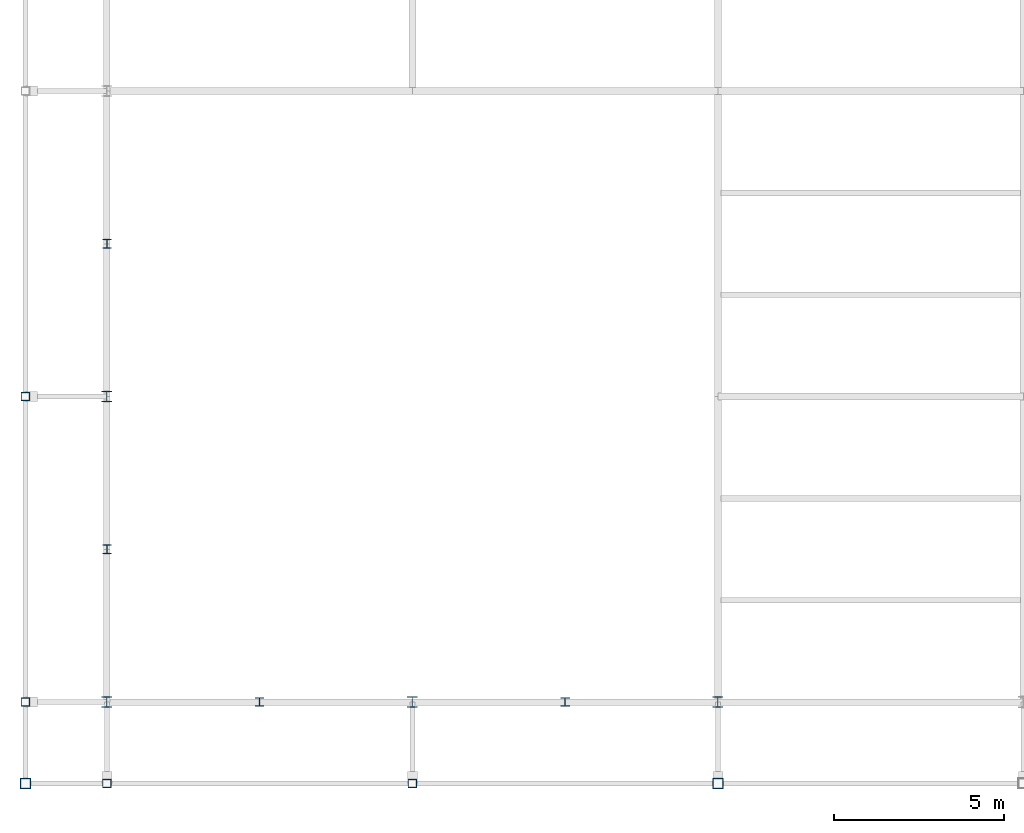
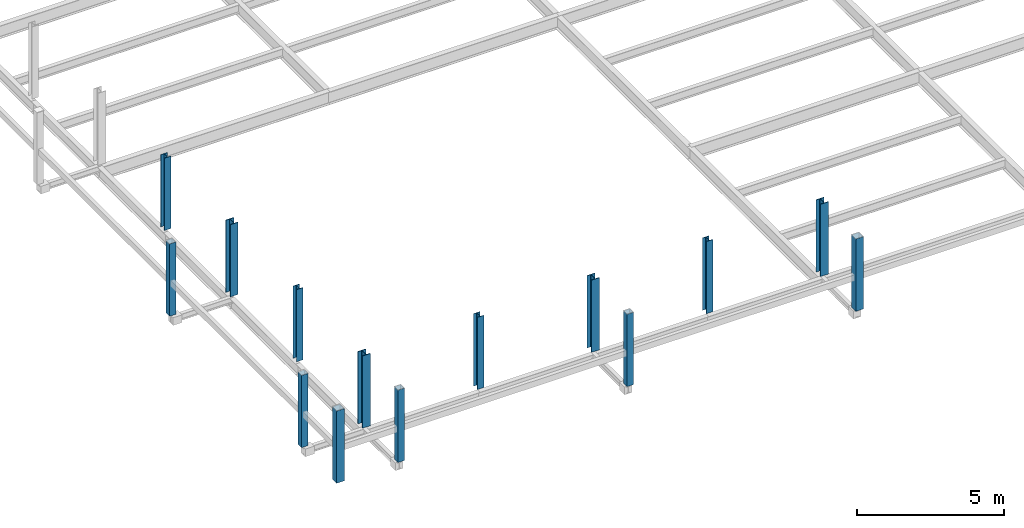
# One storey, part 1 of 16: 14 columns.
"""IFC4 building model written with IfcOpenShell, lengths in metres."""

from ifc_helpers import new_model, si_unit, direction, frame, origin, origin_2d, place, context, subcontext, project, spatial, hollow_rectangle, i_section, extrude, material, material_profile, profile_set, type_object, element, save


model = new_model("IFC4")

# Units and contexts
model_context = context("Model", 3, precision=1e-05, world=origin(), true_north=direction((0.0, 1.0)))
body_context = subcontext(model_context, "Body", "Model", "MODEL_VIEW")
ifc_project = project(units=[si_unit("LENGTHUNIT", "METRE"), si_unit("AREAUNIT", "SQUARE_METRE"), si_unit("VOLUMEUNIT", "CUBIC_METRE"), si_unit("PLANEANGLEUNIT", "RADIAN"), si_unit("MASSUNIT", "GRAM", prefix="KILO"), si_unit("THERMODYNAMICTEMPERATUREUNIT", "KELVIN"), si_unit("POWERUNIT", "WATT")], contexts=[model_context])

# Site, building, storey
site_placement = place(None, origin())
site = spatial("IfcSite", under=ifc_project, at=site_placement, CompositionType="ELEMENT")
building_placement = place(site_placement, origin())
building = spatial("IfcBuilding", under=site, at=building_placement, Name="Tallowbark Science Centre", CompositionType="ELEMENT")
storey_placement = place(building_placement, frame((0.0, 0.0, 23.39990234375)))
storey = spatial("IfcBuildingStorey", under=building, at=storey_placement, Name="L05", CompositionType="ELEMENT", Elevation=23.39990234375)

# Columns
ifc_material_1 = material(Name="White Architectural Painted Steel Grade C350L0 (350 MPa)", Category="steel")
ifc_material_profile_1 = material_profile(ifc_material_1, hollow_rectangle(XDim=0.25, YDim=0.25, WallThickness=0.009033203125, at=origin_2d()), Name="250x250x9.0SHS")
ifc_profile_set_1 = profile_set([ifc_material_profile_1], Name="White Architectural Painted Steel Grade C350L0 (350 MPa)")
column_type_1 = type_object("IfcColumnType", Name="COL-SCR200", PredefinedType="COLUMN", material=ifc_profile_set_1)
for number, where, z_axis, x_axis, name in (
    (1, (58.5, 2.10009765625, 0.0), (0.0, 0.0, 1.0), (1.0, 0.0, 0.0), "Column SCR-S01 L05"),
    (2, (67.5, 2.10009765625, 0.0), (0.0, 0.0, 1.0), (1.0, 0.0, 0.0), "Column SCR-S02 L05"),
    (3, (56.10009765625, 4.5, 0.0), (0.0, 0.0, 1.0), (1.0, 0.0, 0.0), "Column SCR-W01 L05"),
    (4, (56.10009765625, 13.5, 0.0), (0.0, 0.0, 1.0), (1.0, 0.0, 0.0), "Column SCR-W02 L05"),
):
    element("IfcColumn", number, at=place(storey_placement, frame(where, z_axis=z_axis, x_axis=x_axis)), inside=storey, type_object=column_type_1, Name=name, PredefinedType="COLUMN", context=body_context, shape_type="SweptSolid", body=[
        extrude(hollow_rectangle(XDim=0.25, YDim=0.25, WallThickness=0.009033203125, at=origin_2d()), origin(), (0.0, 0.0, 1.0), 3.0),
    ])
ifc_material_profile_2 = material_profile(ifc_material_1, hollow_rectangle(XDim=0.300048828125, YDim=0.300048828125, WallThickness=0.010009765625, at=origin_2d()), Name="300x300x10.0SHS")
ifc_profile_set_2 = profile_set([ifc_material_profile_2], Name="White Architectural Painted Steel Grade C350L0 (350 MPa)")
column_type_2 = type_object("IfcColumnType", Name="COL-SCR300", PredefinedType="COLUMN", material=ifc_profile_set_2)
for number, where, z_axis, x_axis, name in (
    (5, (56.10009765625, 2.10009765625, 0.0), (0.0, 0.0, 1.0), (1.0, 0.0, 0.0), "Column SCR-S00 L05"),
    (6, (76.5, 2.10009765625, 0.0), (0.0, 0.0, 1.0), (1.0, 0.0, 0.0), "Column SCR-S03 L05"),
):
    element("IfcColumn", number, at=place(storey_placement, frame(where, z_axis=z_axis, x_axis=x_axis)), inside=storey, type_object=column_type_2, Name=name, PredefinedType="COLUMN", context=body_context, shape_type="SweptSolid", body=[
        extrude(hollow_rectangle(XDim=0.300048828125, YDim=0.300048828125, WallThickness=0.010009765625, at=origin_2d()), origin(), (0.0, 0.0, 1.0), 3.0),
    ])
ifc_material_2 = material(Name="Structural Steel Grade 300PLUS (300 MPa)", Category="steel")
ifc_material_profile_3 = material_profile(ifc_material_2, i_section(OverallWidth=0.311279296875, OverallDepth=0.3271484375, WebThickness=0.015625, FlangeThickness=0.02490234375, FilletRadius=0.0166015625, at=origin_2d()), Name="310UC158")
ifc_profile_set_3 = profile_set([ifc_material_profile_3], Name="Structural Steel Grade 300PLUS (300 MPa)")
column_type_3 = type_object("IfcColumnType", Name="COL-UC310A", PredefinedType="COLUMN", material=ifc_profile_set_3)
for number, where, z_axis, x_axis, name in (
    (7, (58.5, 4.5, 0.0), (0.0, 0.0, 1.0), (1.0, 0.0, 0.0), "Column CUB-M0_0 L05"),
    (8, (58.5, 13.5, 0.0), (0.0, 0.0, 1.0), (1.0, 0.0, 0.0), "Column CUB-M0_1 L05"),
    (9, (67.5, 4.5, 0.0), (0.0, 0.0, 1.0), (1.0, 0.0, 0.0), "Column CUB-M1_0 L05"),
    (10, (76.5, 4.5, 0.0), (0.0, 0.0, 1.0), (1.0, 0.0, 0.0), "Column CUB-M2_0 L05"),
):
    element("IfcColumn", number, at=place(storey_placement, frame(where, z_axis=z_axis, x_axis=x_axis)), inside=storey, type_object=column_type_3, Name=name, PredefinedType="COLUMN", context=body_context, shape_type="SweptSolid", body=[
        extrude(i_section(OverallWidth=0.311279296875, OverallDepth=0.3271484375, WebThickness=0.015625, FlangeThickness=0.02490234375, FilletRadius=0.0166015625, at=origin_2d()), origin(), (0.0, 0.0, 1.0), 3.0),
    ])
ifc_material_profile_4 = material_profile(ifc_material_2, i_section(OverallWidth=0.256103515625, OverallDepth=0.260009765625, WebThickness=0.010498046875, FlangeThickness=0.017333984375, FilletRadius=0.013916015625, at=origin_2d()), Name="250UC89.5")
ifc_profile_set_4 = profile_set([ifc_material_profile_4], Name="Structural Steel Grade 300PLUS (300 MPa)")
column_type_4 = type_object("IfcColumnType", Name="PIL-UC250", PredefinedType="PILASTER", material=ifc_profile_set_4)
for number, where, z_axis, x_axis, name in (
    (11, (63.0, 4.5, 0.0), (0.0, 0.0, 1.0), (1.0, 0.0, 0.0), "Column CUB-PS-0 L05"),
    (12, (72.0, 4.5, 0.0), (0.0, 0.0, 1.0), (1.0, 0.0, 0.0), "Column CUB-PS-1 L05"),
    (13, (58.5, 9.0, 0.0), (0.0, 0.0, 1.0), (1.0, 0.0, 0.0), "Column CUB-PW-0 L05"),
    (14, (58.5, 18.0, 0.0), (0.0, 0.0, 1.0), (1.0, 0.0, 0.0), "Column CUB-PW-1 L05"),
):
    element("IfcColumn", number, at=place(storey_placement, frame(where, z_axis=z_axis, x_axis=x_axis)), inside=storey, type_object=column_type_4, Name=name, PredefinedType="PILASTER", context=body_context, shape_type="SweptSolid", body=[
        extrude(i_section(OverallWidth=0.256103515625, OverallDepth=0.260009765625, WebThickness=0.010498046875, FlangeThickness=0.017333984375, FilletRadius=0.013916015625, at=origin_2d()), origin(), (0.0, 0.0, 1.0), 3.0),
    ])

save(model, "model.ifc")
